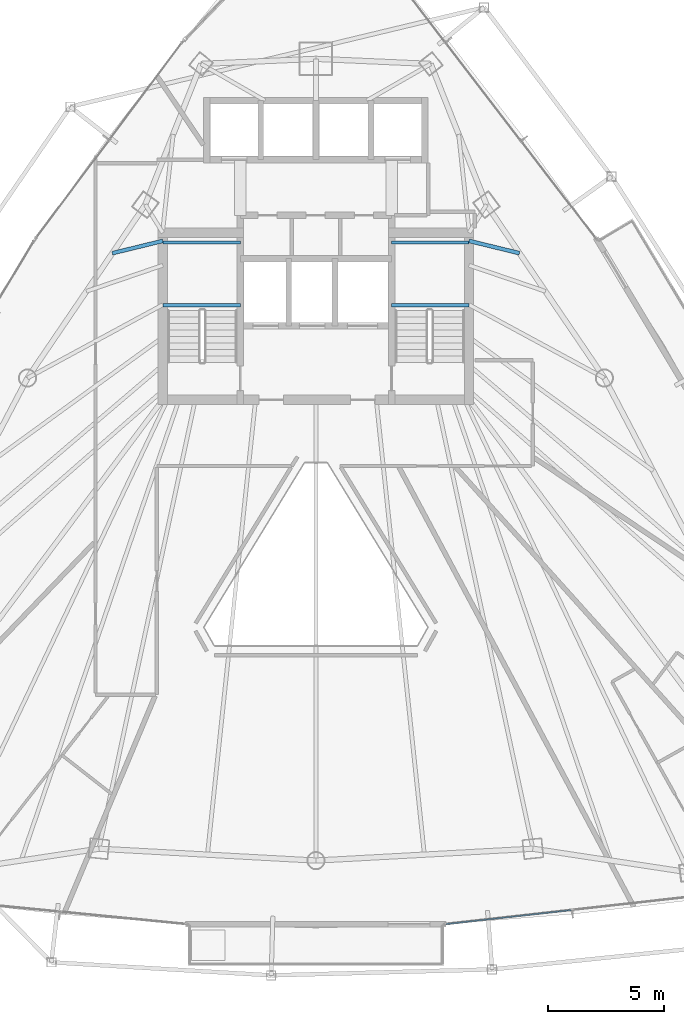
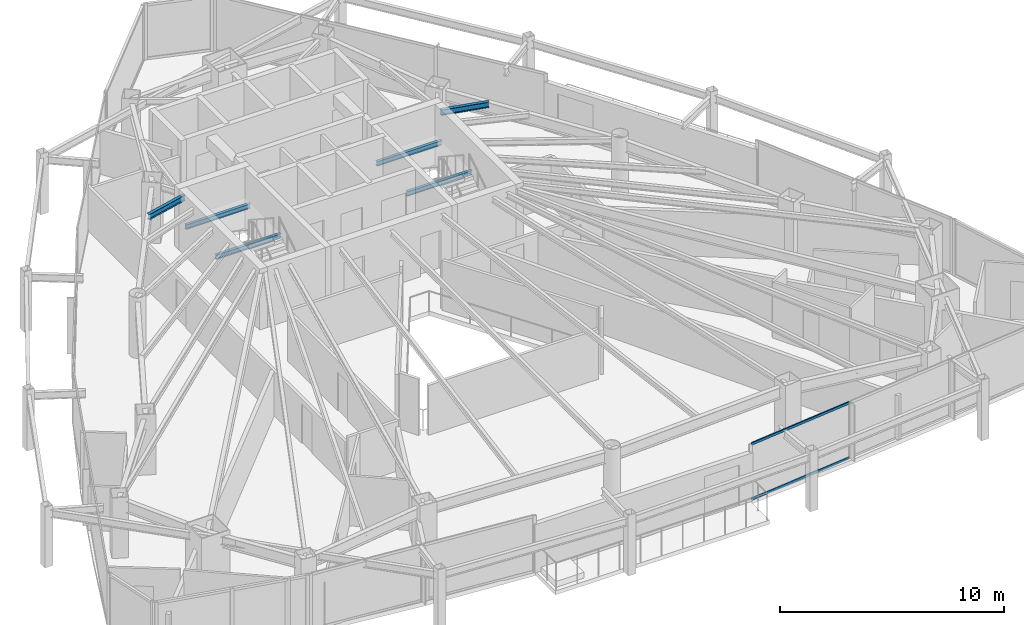
# One storey, part 13 of 30: 6 beams, 2 members, 1 element without a shape of its own.
"""IFC4 building model written with IfcOpenShell, lengths in metres."""

from ifc_helpers import new_model, si_unit, direction, frame, origin, origin_2d, place, context, subcontext, project, spatial, hollow_rectangle, i_section, extrude, material, layer, layer_set, material_profile, profile_set, type_object, element, aggregate, save


model = new_model("IFC4")

# Units and contexts
model_context = context("Model", 3, precision=1e-05, world=origin(), true_north=direction((0.0, 1.0)))
body_context = subcontext(model_context, "Body", "Model", "MODEL_VIEW")
ifc_project = project(units=[si_unit("LENGTHUNIT", "METRE"), si_unit("AREAUNIT", "SQUARE_METRE"), si_unit("VOLUMEUNIT", "CUBIC_METRE"), si_unit("PLANEANGLEUNIT", "RADIAN"), si_unit("MASSUNIT", "GRAM", prefix="KILO")], contexts=[model_context])

# Site, building, storey
site_placement = place(None, origin())
site = spatial("IfcSite", under=ifc_project, at=site_placement, CompositionType="ELEMENT")
building_placement = place(site_placement, origin())
building = spatial("IfcBuilding", under=site, at=building_placement, Name="Orvanel Arch Residences", CompositionType="ELEMENT")
storey_placement = place(building_placement, frame((0.0, 0.0, 180.35009765625)))
storey = spatial("IfcBuildingStorey", under=building, at=storey_placement, Name="L51", CompositionType="ELEMENT", Elevation=180.35009765625)

# Beams
ifc_material_1 = material(Name="Structural steel AS/NZS 3679.1 Grade 300 (300 MPa)", Category="steel")
ifc_material_profile_1 = material_profile(ifc_material_1, i_section(OverallWidth=0.14599609375, OverallDepth=0.251953125, WebThickness=0.006103515625, FlangeThickness=0.008544921875, at=origin_2d()), Name="250UB31.4")
ifc_profile_set_1 = profile_set([ifc_material_profile_1], Name="Structural steel AS/NZS 3679.1 Grade 300 (300 MPa)")
beam_type_1 = type_object("IfcBeamType", Name="BJ-250UB", PredefinedType="JOIST", material=ifc_profile_set_1)
for number, where, z_axis, x_axis, name in (
    (1, (26.39990234375, 30.780029296875, 1.323974609375), (1.0, 0.0, 0.0), (0.0, 1.0, 0.0), "L51 ST-1 Half-Landing Support Beam 1.1"),
    (2, (26.39990234375, 33.47998046875, 1.323974609375), (1.0, 0.0, 0.0), (0.0, 1.0, 0.0), "L51 ST-1 Half-Landing Support Beam 1.2"),
    (3, (36.25, 30.780029296875, 1.323974609375), (1.0, 0.0, 0.0), (0.0, 1.0, 0.0), "L51 ST-2 Half-Landing Support Beam 1.1"),
    (4, (36.25, 33.47998046875, 1.323974609375), (1.0, 0.0, 0.0), (0.0, 1.0, 0.0), "L51 ST-2 Half-Landing Support Beam 1.2"),
):
    element("IfcBeam", number, at=place(storey_placement, frame(where, z_axis=z_axis, x_axis=x_axis)), inside=storey, type_object=beam_type_1, Name=name, PredefinedType="JOIST", context=body_context, shape_type="SweptSolid", body=[
        extrude(i_section(OverallWidth=0.14599609375, OverallDepth=0.251953125, WebThickness=0.006103515625, FlangeThickness=0.008544921875, at=origin_2d()), origin(), (0.0, 0.0, 1.0), 3.35009765625),
    ])
ifc_material_profile_2 = material_profile(ifc_material_1, i_section(OverallWidth=0.1650390625, OverallDepth=0.303955078125, WebThickness=0.006103515625, FlangeThickness=0.01025390625, at=origin_2d()), Name="310UB40.4")
ifc_profile_set_2 = profile_set([ifc_material_profile_2], Name="Structural steel AS/NZS 3679.1 Grade 300 (300 MPa)")
beam_type_2 = type_object("IfcBeamType", Name="BJ-310UB", PredefinedType="JOIST", material=ifc_profile_set_2)
for number, where, z_axis, x_axis, name in (
    (5, (26.39990234375, 33.550048828125, 2.907958984375), (-0.971638471014, -0.236471312521, 0.0), (0.236471312521, -0.971638471014, 0.0), "L51 JADD3 Wing Floor Joist"),
    (6, (39.60009765625, 33.550048828125, 2.907958984375), (0.971638471014, -0.236471312521, 0.0), (0.236471312521, 0.971638471014, 0.0), "L51 JADD4 Wing Floor Joist"),
):
    element("IfcBeam", number, at=place(storey_placement, frame(where, z_axis=z_axis, x_axis=x_axis)), inside=storey, type_object=beam_type_2, Name=name, PredefinedType="JOIST", context=body_context, shape_type="SweptSolid", body=[
        extrude(i_section(OverallWidth=0.1650390625, OverallDepth=0.303955078125, WebThickness=0.006103515625, FlangeThickness=0.01025390625, at=origin_2d()), origin(), (0.0, 0.0, 1.0), 2.2373046875),
    ])

# Curtain wall, members
ifc_material_2 = material(Name="Bronze-anodised aluminium AA6063-T6", Category="aluminium")
ifc_layer = layer(ifc_material_2, 0.179931640625)
ifc_layer_set = layer_set([ifc_layer], Name="Bronze-anodised aluminium AA6063-T6")
curtain_wall_type = type_object("IfcCurtainWallType", Name="CW3-MID-SYS", PredefinedType="NOTDEFINED", material=ifc_layer_set)
curtain_wall_placement = place(storey_placement, origin())
curtain_wall = element("IfcCurtainWall", 7, at=curtain_wall_placement, inside=storey, type_object=curtain_wall_type, Name="L51 CW3-MID-SYS Unitised Curtain Wall", PredefinedType="NOTDEFINED")
ifc_material_profile_3 = material_profile(ifc_material_2, hollow_rectangle(XDim=0.06005859375, YDim=0.135009765625, WallThickness=0.00390625, at=origin_2d()), Name="ALU135x60x4")
ifc_profile_set_3 = profile_set([ifc_material_profile_3], Name="Bronze-anodised aluminium AA6063-T6")
member_type = type_object("IfcMemberType", Name="TRN-135x60", PredefinedType="USERDEFINED", material=ifc_profile_set_3)
member_1_placement = place(storey_placement, frame((38.60546875, 4.106689453125, 0.02978515625), z_axis=(0.993808411622, 0.111107339945, 0.0), x_axis=(-0.111107339945, 0.993808411622, 0.0)))
member_1 = element("IfcMember", 8, at=member_1_placement, type_object=member_type, Name="CW-S3 transom 1.1", ObjectType="TRANSOM", PredefinedType="USERDEFINED", context=body_context, shape_type="SweptSolid", body=[
    extrude(hollow_rectangle(XDim=0.06005859375, YDim=0.135009765625, WallThickness=0.00390625, at=origin_2d()), origin(), (0.0, 0.0, 1.0), 5.431884765625),
])
member_2_placement = place(storey_placement, frame((38.60546875, 4.106689453125, 3.02978515625), z_axis=(0.993808411622, 0.111107339945, 0.0), x_axis=(-0.111107339945, 0.993808411622, 0.0)))
member_2 = element("IfcMember", 9, at=member_2_placement, type_object=member_type, Name="CW-S3 transom 1.2", ObjectType="TRANSOM", PredefinedType="USERDEFINED", context=body_context, shape_type="SweptSolid", body=[
    extrude(hollow_rectangle(XDim=0.06005859375, YDim=0.135009765625, WallThickness=0.00390625, at=origin_2d()), origin(), (0.0, 0.0, 1.0), 5.431884765625),
])
aggregate(curtain_wall, [member_1, member_2])

save(model, "model.ifc")
